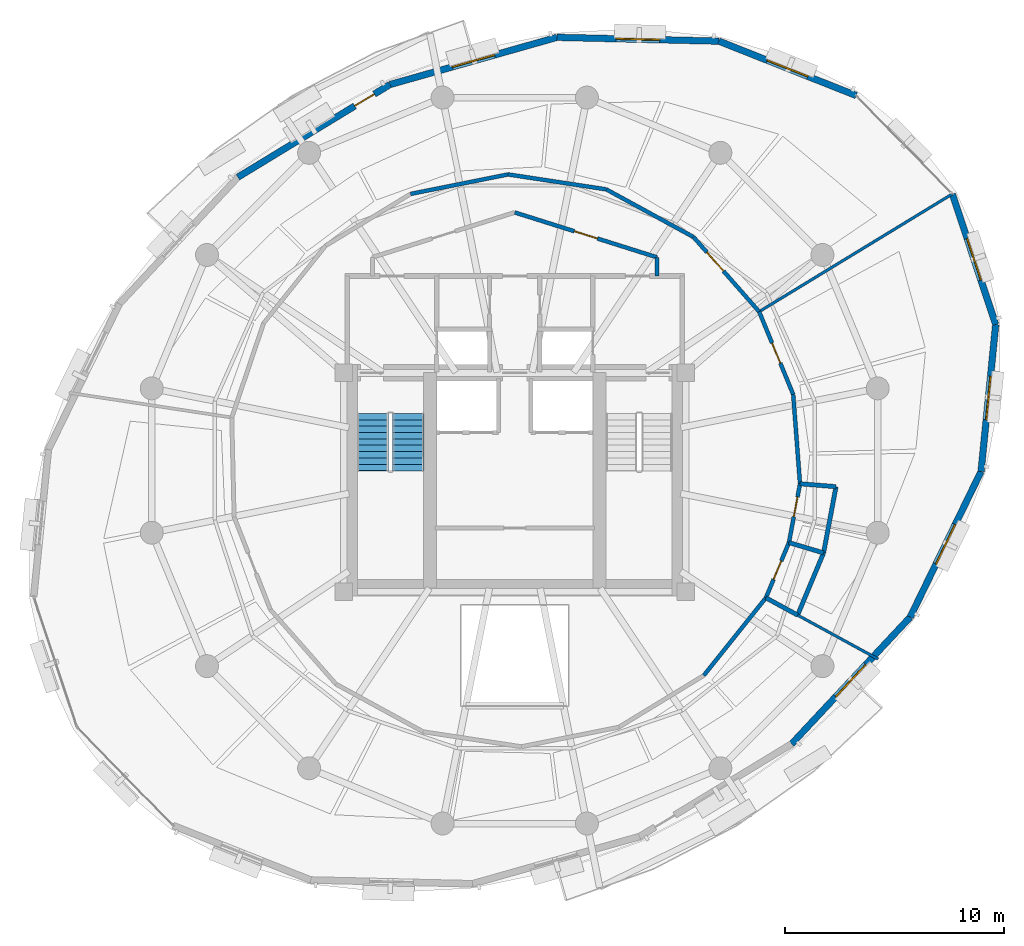
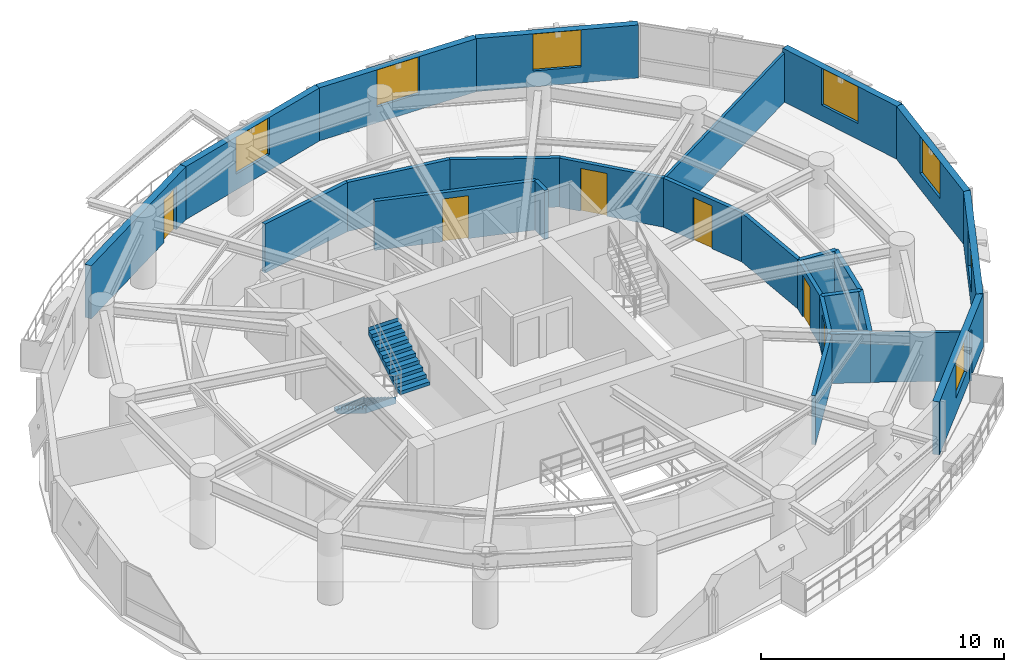
# One storey, part 11 of 15: 26 walls, 7 windows, 6 doors, 2 stair flights, 13 openings, 1 element without a shape of its own.
"""IFC4 building model written with IfcOpenShell, lengths in metres."""

from ifc_helpers import new_model, si_unit, direction, frame, frame_2d, origin, place, context, subcontext, project, spatial, polyline, rectangle, outline, extrude, material, layer, layer_set, type_object, element, fill, aggregate, save


model = new_model("IFC4")

# Units and contexts
model_context = context("Model", 3, precision=1e-05, world=origin(), true_north=direction((0.0, 1.0)))
body_context = subcontext(model_context, "Body", "Model", "MODEL_VIEW")
ifc_project = project(units=[si_unit("LENGTHUNIT", "METRE"), si_unit("AREAUNIT", "SQUARE_METRE"), si_unit("VOLUMEUNIT", "CUBIC_METRE"), si_unit("PLANEANGLEUNIT", "RADIAN"), si_unit("MASSUNIT", "GRAM", prefix="KILO"), si_unit("THERMODYNAMICTEMPERATUREUNIT", "KELVIN"), si_unit("POWERUNIT", "WATT")], contexts=[model_context])

# Site, building, storey
site_placement = place(None, origin())
site = spatial("IfcSite", under=ifc_project, at=site_placement, CompositionType="ELEMENT")
building_placement = place(site_placement, origin())
building = spatial("IfcBuilding", under=site, at=building_placement, Name="Ocrelia Relay Tower", CompositionType="ELEMENT")
storey_placement = place(building_placement, frame((0.0, 0.0, 166.39990234375)))
storey = spatial("IfcBuildingStorey", under=building, at=storey_placement, Name="L39", CompositionType="ELEMENT", Elevation=166.39990234375)

# Wall
ifc_material_1 = material(Name="Gypsum Fireboard Partition EI60", Category="gypsum")
ifc_layer_1 = layer(ifc_material_1, 0.179931640625, Name="Gypsum Fireboard Partition EI60")
ifc_layer_set_1 = layer_set([ifc_layer_1], Name="Gypsum Fireboard Partition EI60")
wall_type_1 = type_object("IfcWallType", Name="W-CORR-EI60-180", PredefinedType="PARTITIONING", material=ifc_layer_set_1)
wall_1_placement = place(storey_placement, frame((40.5, 35.280029296875, 0.0), z_axis=(0.0, 0.0, 1.0), x_axis=(0.0, -1.0, 0.0)))
element("IfcWall", 1, at=wall_1_placement, inside=storey, type_object=wall_type_1, Name="L39 Smoke Lobby East Return", PredefinedType="PARTITIONING", context=body_context, shape_type="SweptSolid", body=[
    extrude(rectangle(XDim=0.85009765625, YDim=0.179931640625, at=frame_2d((0.425048828125, 0.0))), origin(), (0.0, 0.0, 1.0), 2.460205078125),
])

# Wall, opening, door
wall_2_placement = place(storey_placement, frame((34.0, 37.330078125, 0.0), z_axis=(0.0, 0.0, 1.0), x_axis=(0.953691418528, -0.300786765376, 0.0)))
wall_2 = element("IfcWall", 2, at=wall_2_placement, inside=storey, type_object=wall_type_1, Name="L39 North Smoke Lobby E Screen Wall", PredefinedType="PARTITIONING", context=body_context, shape_type="SweptSolid", body=[
    extrude(rectangle(XDim=6.815673828125, YDim=0.179931640625, at=frame_2d((3.40771484375, 0.0))), origin(), (0.0, 0.0, 1.0), 2.460205078125),
])
opening_1_placement = place(wall_2_placement, frame((2.85791015625, 0.0, 0.0)))
opening_1 = element("IfcOpeningElement", 3, at=opening_1_placement, cuts=wall_2, Name="Opening D-FD60", PredefinedType="OPENING", context=body_context, shape_type="SweptSolid", body=[
    extrude(rectangle(XDim=1.10009765625, YDim=2.14990234375, at=frame_2d((0.550048828125, 1.074951171875))), frame((0.0, 0.10009765625, 0.0), z_axis=(0.0, -1.0, 0.0), x_axis=(1.0, 0.0, 0.0)), (0.0, 0.0, 1.0), 0.199951171875),
])
ifc_material_2 = material(Name="Timber-core 60-min acoustic fire door", Category="wood")
door_type_1 = type_object("IfcDoorType", Name="DR-LOBBY-FD60-1100", OperationType="NOTDEFINED", PredefinedType="DOOR", material=ifc_material_2)
door_1_placement = place(opening_1_placement, origin())
door_1 = element("IfcDoor", 4, at=door_1_placement, inside=storey, type_object=door_type_1, Name="L39 North Smoke Lobby E Fire Door", OperationType="SINGLE_SWING_LEFT", OverallHeight=2.14990234375, OverallWidth=1.10009765625, PredefinedType="DOOR", context=body_context, shape_type="SweptSolid", body=[
    extrude(rectangle(XDim=1.10009765625, YDim=2.14990234375, at=frame_2d((0.550048828125, 1.074951171875))), frame((0.0, 0.02490234375, 0.0), z_axis=(0.0, -1.0, 0.0), x_axis=(1.0, 0.0, 0.0)), (0.0, 0.0, 1.0), 0.050048828125),
])
fill(opening_1, door_1)

wall_3_placement = place(storey_placement, frame((45.4697265625, 19.7333984375, 0.0), z_axis=(0.0, 0.0, 1.0), x_axis=(0.385091152841, 0.92287854239, 0.0)))
wall_3 = element("IfcWall", 5, at=wall_3_placement, inside=storey, type_object=wall_type_1, Name="L39 Staff Toilet Corridor Wall", PredefinedType="PARTITIONING", context=body_context, shape_type="SweptSolid", body=[
    extrude(rectangle(XDim=2.732421875, YDim=0.179931640625, at=frame_2d((1.3662109375, 0.0))), origin(), (0.0, 0.0, 1.0), 2.460205078125),
])
opening_2_placement = place(wall_3_placement, frame((0.90625, 0.0, 0.0)))
opening_2 = element("IfcOpeningElement", 6, at=opening_2_placement, cuts=wall_3, Name="Opening D-WC92", PredefinedType="OPENING", context=body_context, shape_type="SweptSolid", body=[
    extrude(rectangle(XDim=0.919921875, YDim=2.10009765625, at=frame_2d((0.4599609375, 1.050048828125))), frame((0.0, 0.10009765625, 0.0), z_axis=(0.0, -1.0, 0.0), x_axis=(1.0, 0.0, 0.0)), (0.0, 0.0, 1.0), 0.199951171875),
])
ifc_material_3 = material(Name="Laminate washroom door", Category="wood")
door_type_2 = type_object("IfcDoorType", Name="DR-WC-920", OperationType="NOTDEFINED", PredefinedType="DOOR", material=ifc_material_3)
door_2_placement = place(opening_2_placement, origin())
door_2 = element("IfcDoor", 7, at=door_2_placement, inside=storey, type_object=door_type_2, Name="L39 Staff Toilet Door", OperationType="SINGLE_SWING_RIGHT", OverallHeight=2.10009765625, OverallWidth=0.919921875, PredefinedType="DOOR", context=body_context, shape_type="SweptSolid", body=[
    extrude(rectangle(XDim=0.919921875, YDim=2.10009765625, at=frame_2d((0.4599609375, 1.050048828125))), frame((0.0, 0.02490234375, 0.0), z_axis=(0.0, -1.0, 0.0), x_axis=(1.0, 0.0, 0.0)), (0.0, 0.0, 1.0), 0.050048828125),
])
fill(opening_2, door_2)

wall_4_placement = place(storey_placement, frame((46.52197265625, 22.255126953125, 0.0), z_axis=(0.0, 0.0, 1.0), x_axis=(0.184865739827, 0.982763785575, 0.0)))
wall_4 = element("IfcWall", 8, at=wall_4_placement, inside=storey, type_object=wall_type_1, Name="L39 Accessible Toilet Corridor Wall", PredefinedType="PARTITIONING", context=body_context, shape_type="SweptSolid", body=[
    extrude(rectangle(XDim=2.732421875, YDim=0.179931640625, at=frame_2d((1.3662109375, 0.0))), origin(), (0.0, 0.0, 1.0), 2.460205078125),
])
opening_3_placement = place(wall_4_placement, frame((1.19677734375, 0.0, 0.0)))
opening_3 = element("IfcOpeningElement", 9, at=opening_3_placement, cuts=wall_4, Name="Opening D-WC92", PredefinedType="OPENING", context=body_context, shape_type="SweptSolid", body=[
    extrude(rectangle(XDim=0.919921875, YDim=2.10009765625, at=frame_2d((0.4599609375, 1.050048828125))), frame((0.0, 0.10009765625, 0.0), z_axis=(0.0, -1.0, 0.0), x_axis=(1.0, 0.0, 0.0)), (0.0, 0.0, 1.0), 0.199951171875),
])
door_3_placement = place(opening_3_placement, origin())
door_3 = element("IfcDoor", 10, at=door_3_placement, inside=storey, type_object=door_type_2, Name="L39 Accessible Toilet Door", OperationType="SINGLE_SWING_LEFT", OverallHeight=2.10009765625, OverallWidth=0.919921875, PredefinedType="DOOR", context=body_context, shape_type="SweptSolid", body=[
    extrude(rectangle(XDim=0.919921875, YDim=2.10009765625, at=frame_2d((0.4599609375, 1.050048828125))), frame((0.0, 0.02490234375, 0.0), z_axis=(0.0, -1.0, 0.0), x_axis=(1.0, 0.0, 0.0)), (0.0, 0.0, 1.0), 0.050048828125),
])
fill(opening_3, door_3)

# Wall
wall_5_placement = place(storey_placement, frame((47.027099609375, 24.9404296875, 0.0), z_axis=(0.0, 0.0, 1.0), x_axis=(-0.075883796474, 0.997116667914, 0.0)))
element("IfcWall", 11, at=wall_5_placement, inside=storey, type_object=wall_type_1, Name="L39 Spectrum Operations Office Corridor Partition 1", PredefinedType="PARTITIONING", context=body_context, shape_type="SweptSolid", body=[
    extrude(rectangle(XDim=4.089111328125, YDim=0.179931640625, at=frame_2d((2.04443359375, 0.0))), origin(), (0.0, 0.0, 1.0), 2.460205078125),
])

# Wall, opening, door
wall_6_placement = place(storey_placement, frame((46.716796875, 29.017822265625, 0.0), z_axis=(0.0, 0.0, 1.0), x_axis=(-0.380257278333, 0.9248807503, 0.0)))
wall_6 = element("IfcWall", 12, at=wall_6_placement, inside=storey, type_object=wall_type_1, Name="L39 Spectrum Operations Office Corridor Partition 2", PredefinedType="PARTITIONING", context=body_context, shape_type="SweptSolid", body=[
    extrude(rectangle(XDim=4.089111328125, YDim=0.179931640625, at=frame_2d((2.04443359375, 0.0))), origin(), (0.0, 0.0, 1.0), 2.460205078125),
])
opening_4_placement = place(wall_6_placement, frame((1.544677734375, 0.0, 0.0)))
opening_4 = element("IfcOpeningElement", 13, at=opening_4_placement, cuts=wall_6, Name="Opening D-RM100", PredefinedType="OPENING", context=body_context, shape_type="SweptSolid", body=[
    extrude(rectangle(XDim=1.0, YDim=2.14990234375, at=frame_2d((0.5, 1.074951171875))), frame((0.0, 0.10009765625, 0.0), z_axis=(0.0, -1.0, 0.0), x_axis=(1.0, 0.0, 0.0)), (0.0, 0.0, 1.0), 0.199951171875),
])
ifc_material_4 = material(Name="Acoustic oak veneer fire door", Category="wood")
door_type_3 = type_object("IfcDoorType", Name="DR-ROOM-FD60-1000", OperationType="NOTDEFINED", PredefinedType="DOOR", material=ifc_material_4)
door_4_placement = place(opening_4_placement, origin())
door_4 = element("IfcDoor", 14, at=door_4_placement, inside=storey, type_object=door_type_3, Name="L39 Spectrum Operations Office Entrance Door", OperationType="SINGLE_SWING_RIGHT", OverallHeight=2.14990234375, OverallWidth=1.0, PredefinedType="DOOR", context=body_context, shape_type="SweptSolid", body=[
    extrude(rectangle(XDim=1.0, YDim=2.14990234375, at=frame_2d((0.5, 1.074951171875))), frame((0.0, 0.02490234375, 0.0), z_axis=(0.0, -1.0, 0.0), x_axis=(1.0, 0.0, 0.0)), (0.0, 0.0, 1.0), 0.050048828125),
])
fill(opening_4, door_4)

wall_7_placement = place(storey_placement, frame((45.161865234375, 32.7998046875, 0.0), z_axis=(0.0, 0.0, 1.0), x_axis=(-0.660626682452, 0.750714583869, 0.0)))
wall_7 = element("IfcWall", 15, at=wall_7_placement, inside=storey, type_object=wall_type_1, Name="L39 Cloud Engineering Workspace Corridor Partition 1", PredefinedType="PARTITIONING", context=body_context, shape_type="SweptSolid", body=[
    extrude(rectangle(XDim=4.539306640625, YDim=0.179931640625, at=frame_2d((2.26953125, 0.0))), origin(), (0.0, 0.0, 1.0), 2.460205078125),
])
opening_5_placement = place(wall_7_placement, frame((2.466796875, 0.0, 0.0)))
opening_5 = element("IfcOpeningElement", 16, at=opening_5_placement, cuts=wall_7, Name="Opening D-RM115", PredefinedType="OPENING", context=body_context, shape_type="SweptSolid", body=[
    extrude(rectangle(XDim=1.14990234375, YDim=2.14990234375, at=frame_2d((0.574951171875, 1.074951171875))), frame((0.0, 0.10009765625, 0.0), z_axis=(0.0, -1.0, 0.0), x_axis=(1.0, 0.0, 0.0)), (0.0, 0.0, 1.0), 0.199951171875),
])
ifc_material_5 = material(Name="Wide acoustic oak veneer fire door", Category="wood")
door_type_4 = type_object("IfcDoorType", Name="DR-ROOM-1150", OperationType="NOTDEFINED", PredefinedType="DOOR", material=ifc_material_5)
door_5_placement = place(opening_5_placement, origin())
door_5 = element("IfcDoor", 17, at=door_5_placement, inside=storey, type_object=door_type_4, Name="L39 Cloud Engineering Workspace Entrance Door", OperationType="SINGLE_SWING_LEFT", OverallHeight=2.14990234375, OverallWidth=1.14990234375, PredefinedType="DOOR", context=body_context, shape_type="SweptSolid", body=[
    extrude(rectangle(XDim=1.14990234375, YDim=2.14990234375, at=frame_2d((0.574951171875, 1.074951171875))), frame((0.0, 0.02490234375, 0.0), z_axis=(0.0, -1.0, 0.0), x_axis=(1.0, 0.0, 0.0)), (0.0, 0.0, 1.0), 0.050048828125),
])
fill(opening_5, door_5)

# Walls
for number, where, z_axis, x_axis, name in (
    (18, (42.1630859375, 36.20751953125, 0.0), (0.0, 0.0, 1.0), (-0.877570600143, 0.479447433787, 0.0), "L39 Cloud Engineering Workspace Corridor Partition 2"),
    (19, (38.1796875, 38.3837890625, 0.0), (0.0, 0.0, 1.0), (-0.988627704607, 0.150383714819, 0.0), "L39 Cloud Engineering Workspace Corridor Partition 3"),
):
    element("IfcWall", number, at=place(storey_placement, frame(where, z_axis=z_axis, x_axis=x_axis)), inside=storey, type_object=wall_type_1, Name=name, PredefinedType="PARTITIONING", context=body_context, shape_type="SweptSolid", body=[
        extrude(rectangle(XDim=4.5390625, YDim=0.179931640625, at=frame_2d((2.26953125, 0.0))), origin(), (0.0, 0.0, 1.0), 2.460205078125),
    ])
wall_8_placement = place(storey_placement, frame((33.692138671875, 39.06640625, 0.0), z_axis=(0.0, 0.0, 1.0), x_axis=(-0.980443907312, -0.196798741393, 0.0)))
element("IfcWall", 20, at=wall_8_placement, inside=storey, type_object=wall_type_1, Name="L39 Cloud Engineering Workspace Corridor Partition 4", PredefinedType="PARTITIONING", context=body_context, shape_type="SweptSolid", body=[
    extrude(rectangle(XDim=4.539306640625, YDim=0.179931640625, at=frame_2d((2.26953125, 0.0))), origin(), (0.0, 0.0, 1.0), 2.460205078125),
])
wall_9_placement = place(storey_placement, frame((42.634765625, 16.1884765625, 0.0), z_axis=(0.0, 0.0, 1.0), x_axis=(0.6245638532, 0.780973746854, 0.0)))
element("IfcWall", 21, at=wall_9_placement, inside=storey, type_object=wall_type_1, Name="L39 Protocol Simulation Studio Corridor Partition 8", PredefinedType="PARTITIONING", context=body_context, shape_type="SweptSolid", body=[
    extrude(rectangle(XDim=4.5390625, YDim=0.179931640625, at=frame_2d((2.26953125, 0.0))), origin(), (0.0, 0.0, 1.0), 2.460205078125),
])

# Wall, opening, window
ifc_material_6 = material(Name="Precast concrete C40/50 with oxide terracotta", Category="masonry")
ifc_layer_2 = layer(ifc_material_6, 0.300048828125, Name="Precast concrete C40/50 with oxide terracotta")
ifc_layer_set_2 = layer_set([ifc_layer_2], Name="Precast concrete C40/50 with oxide terracotta")
wall_type_2 = type_object("IfcWallType", Name="W-EXT-TERR-300", PredefinedType="SOLIDWALL", material=ifc_layer_set_2)
wall_10_placement = place(storey_placement, frame((49.593505859375, 42.66845703125, 0.0), z_axis=(0.0, 0.0, 1.0), x_axis=(-0.929741827898, 0.368212076739, 0.0)))
wall_10 = element("IfcWall", 22, at=wall_10_placement, inside=storey, type_object=wall_type_2, Name="L39 Oxide Terracotta Facade Wall 02", PredefinedType="SOLIDWALL", context=body_context, shape_type="SweptSolid", body=[
    extrude(rectangle(XDim=6.7451171875, YDim=0.300048828125, at=frame_2d((3.37255859375, 0.0))), origin(), (0.0, 0.0, 1.0), 2.66015625),
])
opening_6_placement = place(wall_10_placement, frame((2.373046875, 0.0, 0.800048828125)))
opening_6 = element("IfcOpeningElement", 23, at=opening_6_placement, cuts=wall_10, Name="Opening W-03", PredefinedType="OPENING", context=body_context, shape_type="SweptSolid", body=[
    extrude(rectangle(XDim=2.0, YDim=1.85009765625, at=frame_2d((1.0, 0.925048828125))), frame((0.0, 0.16015625, 0.0), z_axis=(0.0, -1.0, 0.0), x_axis=(1.0, 0.0, 0.0)), (0.0, 0.0, 1.0), 0.320068359375),
])
ifc_material_7 = material(Name="Clear double-glazed low-E glass", Category="glass")
window_type = type_object("IfcWindowType", Name="WIN-Z3-2000x2200", PartitioningType="DOUBLE_PANEL_VERTICAL", PredefinedType="WINDOW", material=ifc_material_7)
window_1_placement = place(opening_6_placement, origin())
window_1 = element("IfcWindow", 24, at=window_1_placement, inside=storey, type_object=window_type, Name="L39 Facade Module Window 02", OverallHeight=1.85009765625, OverallWidth=2.0, PartitioningType="SINGLE_PANEL", PredefinedType="WINDOW", context=body_context, shape_type="SweptSolid", body=[
    extrude(rectangle(XDim=2.0, YDim=1.85009765625, at=frame_2d((1.0, 0.925048828125))), frame((0.0, 0.030029296875, 0.0), z_axis=(0.0, -1.0, 0.0), x_axis=(1.0, 0.0, 0.0)), (0.0, 0.0, 1.0), 0.06005859375),
])
fill(opening_6, window_1)

wall_11_placement = place(storey_placement, frame((43.322265625, 45.152099609375, 0.0), z_axis=(0.0, 0.0, 1.0), x_axis=(-0.999724657082, 0.023465080919, 0.0)))
wall_11 = element("IfcWall", 25, at=wall_11_placement, inside=storey, type_object=wall_type_2, Name="L39 Oxide Terracotta Facade Wall 03", PredefinedType="SOLIDWALL", context=body_context, shape_type="SweptSolid", body=[
    extrude(rectangle(XDim=7.3974609375, YDim=0.300048828125, at=frame_2d((3.69873046875, 0.0))), origin(), (0.0, 0.0, 1.0), 2.66015625),
])
opening_7_placement = place(wall_11_placement, frame((2.698974609375, 0.0, 0.800048828125)))
opening_7 = element("IfcOpeningElement", 26, at=opening_7_placement, cuts=wall_11, Name="Opening W-03", PredefinedType="OPENING", context=body_context, shape_type="SweptSolid", body=[
    extrude(rectangle(XDim=2.0, YDim=1.85009765625, at=frame_2d((1.0, 0.925048828125))), frame((0.0, 0.16015625, 0.0), z_axis=(0.0, -1.0, 0.0), x_axis=(1.0, 0.0, 0.0)), (0.0, 0.0, 1.0), 0.320068359375),
])
window_2_placement = place(opening_7_placement, origin())
window_2 = element("IfcWindow", 27, at=window_2_placement, inside=storey, type_object=window_type, Name="L39 Facade Module Window 03", OverallHeight=1.85009765625, OverallWidth=2.0, PartitioningType="SINGLE_PANEL", PredefinedType="WINDOW", context=body_context, shape_type="SweptSolid", body=[
    extrude(rectangle(XDim=2.0, YDim=1.85009765625, at=frame_2d((1.0, 0.925048828125))), frame((0.0, 0.030029296875, 0.0), z_axis=(0.0, -1.0, 0.0), x_axis=(1.0, 0.0, 0.0)), (0.0, 0.0, 1.0), 0.06005859375),
])
fill(opening_7, window_2)

wall_12_placement = place(storey_placement, frame((35.9267578125, 45.32568359375, 0.0), z_axis=(0.0, 0.0, 1.0), x_axis=(-0.96225962462, -0.272133082932, 0.0)))
wall_12 = element("IfcWall", 28, at=wall_12_placement, inside=storey, type_object=wall_type_2, Name="L39 Oxide Terracotta Facade Wall 04", PredefinedType="SOLIDWALL", context=body_context, shape_type="SweptSolid", body=[
    extrude(rectangle(XDim=7.927001953125, YDim=0.300048828125, at=frame_2d((3.96337890625, 0.0))), origin(), (0.0, 0.0, 1.0), 2.66015625),
])
opening_8_placement = place(wall_12_placement, frame((2.964111328125, 0.0, 0.800048828125)))
opening_8 = element("IfcOpeningElement", 29, at=opening_8_placement, cuts=wall_12, Name="Opening W-03", PredefinedType="OPENING", context=body_context, shape_type="SweptSolid", body=[
    extrude(rectangle(XDim=2.0, YDim=1.85009765625, at=frame_2d((1.0, 0.925048828125))), frame((0.0, 0.16015625, 0.0), z_axis=(0.0, -1.0, 0.0), x_axis=(1.0, 0.0, 0.0)), (0.0, 0.0, 1.0), 0.320068359375),
])
window_3_placement = place(opening_8_placement, origin())
window_3 = element("IfcWindow", 30, at=window_3_placement, inside=storey, type_object=window_type, Name="L39 Facade Module Window 04", OverallHeight=1.85009765625, OverallWidth=2.0, PartitioningType="SINGLE_PANEL", PredefinedType="WINDOW", context=body_context, shape_type="SweptSolid", body=[
    extrude(rectangle(XDim=2.0, YDim=1.85009765625, at=frame_2d((1.0, 0.925048828125))), frame((0.0, 0.030029296875, 0.0), z_axis=(0.0, -1.0, 0.0), x_axis=(1.0, 0.0, 0.0)), (0.0, 0.0, 1.0), 0.06005859375),
])
fill(opening_8, window_3)

# Wall, opening, door
wall_13_placement = place(storey_placement, frame((28.298828125, 43.16845703125, 0.0), z_axis=(0.0, 0.0, 1.0), x_axis=(-0.854003574889, -0.520267137226, 0.0)))
wall_13 = element("IfcWall", 31, at=wall_13_placement, inside=storey, type_object=wall_type_2, Name="L39 Oxide Terracotta Facade Wall 05", PredefinedType="SOLIDWALL", context=body_context, shape_type="SweptSolid", body=[
    extrude(rectangle(XDim=8.126708984375, YDim=0.300048828125, at=frame_2d((4.0634765625, 0.0))), origin(), (0.0, 0.0, 1.0), 2.66015625),
])
opening_9_placement = place(wall_13_placement, frame((0.830078125, 0.0, 0.0)))
opening_9 = element("IfcOpeningElement", 32, at=opening_9_placement, cuts=wall_13, Name="Opening DB-105", PredefinedType="OPENING", context=body_context, shape_type="SweptSolid", body=[
    extrude(rectangle(XDim=1.050048828125, YDim=2.14990234375, at=frame_2d((0.52490234375, 1.074951171875))), frame((0.0, 0.16015625, 0.0), z_axis=(0.0, -1.0, 0.0), x_axis=(1.0, 0.0, 0.0)), (0.0, 0.0, 1.0), 0.320068359375),
])
ifc_material_8 = material(Name="Thermally broken aluminium and clear glass", Category="aluminium")
door_type_5 = type_object("IfcDoorType", Name="DR-BALC-1050", OperationType="NOTDEFINED", PredefinedType="DOOR", material=ifc_material_8)
door_6_placement = place(opening_9_placement, origin())
door_6 = element("IfcDoor", 33, at=door_6_placement, inside=storey, type_object=door_type_5, Name="L39 Planted Loggia Balcony Door B1", OperationType="SINGLE_SWING_LEFT", OverallHeight=2.14990234375, OverallWidth=1.050048828125, PredefinedType="DOOR", context=body_context, shape_type="SweptSolid", body=[
    extrude(rectangle(XDim=1.050048828125, YDim=2.14990234375, at=frame_2d((0.52490234375, 1.074951171875))), frame((0.0, 0.02490234375, 0.0), z_axis=(0.0, -1.0, 0.0), x_axis=(1.0, 0.0, 0.0)), (0.0, 0.0, 1.0), 0.050048828125),
])
fill(opening_9, door_6)

# Wall, opening, window
wall_14_placement = place(storey_placement, frame((46.641357421875, 13.0595703125, 0.0), z_axis=(0.0, 0.0, 1.0), x_axis=(0.683169314715, 0.730260013579, 0.0)))
wall_14 = element("IfcWall", 34, at=wall_14_placement, inside=storey, type_object=wall_type_2, Name="L39 Oxide Terracotta Facade Wall 15", PredefinedType="SOLIDWALL", context=body_context, shape_type="SweptSolid", body=[
    extrude(rectangle(XDim=7.927001953125, YDim=0.300048828125, at=frame_2d((3.96337890625, 0.0))), origin(), (0.0, 0.0, 1.0), 2.66015625),
])
opening_10_placement = place(wall_14_placement, frame((2.964111328125, 0.0, 0.800048828125)))
opening_10 = element("IfcOpeningElement", 35, at=opening_10_placement, cuts=wall_14, Name="Opening W-03", PredefinedType="OPENING", context=body_context, shape_type="SweptSolid", body=[
    extrude(rectangle(XDim=2.0, YDim=1.85009765625, at=frame_2d((1.0, 0.925048828125))), frame((0.0, 0.16015625, 0.0), z_axis=(0.0, -1.0, 0.0), x_axis=(1.0, 0.0, 0.0)), (0.0, 0.0, 1.0), 0.320068359375),
])
window_4_placement = place(opening_10_placement, origin())
window_4 = element("IfcWindow", 36, at=window_4_placement, inside=storey, type_object=window_type, Name="L39 Facade Module Window 15", OverallHeight=1.85009765625, OverallWidth=2.0, PartitioningType="SINGLE_PANEL", PredefinedType="WINDOW", context=body_context, shape_type="SweptSolid", body=[
    extrude(rectangle(XDim=2.0, YDim=1.85009765625, at=frame_2d((1.0, 0.925048828125))), frame((0.0, 0.030029296875, 0.0), z_axis=(0.0, -1.0, 0.0), x_axis=(1.0, 0.0, 0.0)), (0.0, 0.0, 1.0), 0.06005859375),
])
fill(opening_10, window_4)

wall_15_placement = place(storey_placement, frame((52.056884765625, 18.848388671875, 0.0), z_axis=(0.0, 0.0, 1.0), x_axis=(0.437643860452, 0.89914840344, 0.0)))
wall_15 = element("IfcWall", 37, at=wall_15_placement, inside=storey, type_object=wall_type_2, Name="L39 Oxide Terracotta Facade Wall 16", PredefinedType="SOLIDWALL", context=body_context, shape_type="SweptSolid", body=[
    extrude(rectangle(XDim=7.397705078125, YDim=0.300048828125, at=frame_2d((3.69873046875, 0.0))), origin(), (0.0, 0.0, 1.0), 2.66015625),
])
opening_11_placement = place(wall_15_placement, frame((2.698974609375, 0.0, 0.800048828125)))
opening_11 = element("IfcOpeningElement", 38, at=opening_11_placement, cuts=wall_15, Name="Opening W-03", PredefinedType="OPENING", context=body_context, shape_type="SweptSolid", body=[
    extrude(rectangle(XDim=2.0, YDim=1.85009765625, at=frame_2d((1.0, 0.925048828125))), frame((0.0, 0.16015625, 0.0), z_axis=(0.0, -1.0, 0.0), x_axis=(1.0, 0.0, 0.0)), (0.0, 0.0, 1.0), 0.320068359375),
])
window_5_placement = place(opening_11_placement, origin())
window_5 = element("IfcWindow", 39, at=window_5_placement, inside=storey, type_object=window_type, Name="L39 Facade Module Window 16", OverallHeight=1.85009765625, OverallWidth=2.0, PartitioningType="SINGLE_PANEL", PredefinedType="WINDOW", context=body_context, shape_type="SweptSolid", body=[
    extrude(rectangle(XDim=2.0, YDim=1.85009765625, at=frame_2d((1.0, 0.925048828125))), frame((0.0, 0.030029296875, 0.0), z_axis=(0.0, -1.0, 0.0), x_axis=(1.0, 0.0, 0.0)), (0.0, 0.0, 1.0), 0.06005859375),
])
fill(opening_11, window_5)

wall_16_placement = place(storey_placement, frame((55.29443359375, 25.5, 0.0), z_axis=(0.0, 0.0, 1.0), x_axis=(0.099213429468, 0.995066176399, 0.0)))
wall_16 = element("IfcWall", 40, at=wall_16_placement, inside=storey, type_object=wall_type_2, Name="L39 Oxide Terracotta Facade Wall 17", PredefinedType="SOLIDWALL", context=body_context, shape_type="SweptSolid", body=[
    extrude(rectangle(XDim=6.744873046875, YDim=0.300048828125, at=frame_2d((3.37255859375, 0.0))), origin(), (0.0, 0.0, 1.0), 2.66015625),
])
opening_12_placement = place(wall_16_placement, frame((2.3720703125, 0.0, 0.800048828125)))
opening_12 = element("IfcOpeningElement", 41, at=opening_12_placement, cuts=wall_16, Name="Opening W-03", PredefinedType="OPENING", context=body_context, shape_type="SweptSolid", body=[
    extrude(rectangle(XDim=2.0, YDim=1.85009765625, at=frame_2d((1.0, 0.925048828125))), frame((0.0, 0.16015625, 0.0), z_axis=(0.0, -1.0, 0.0), x_axis=(1.0, 0.0, 0.0)), (0.0, 0.0, 1.0), 0.320068359375),
])
window_6_placement = place(opening_12_placement, origin())
window_6 = element("IfcWindow", 42, at=window_6_placement, inside=storey, type_object=window_type, Name="L39 Facade Module Window 17", OverallHeight=1.85009765625, OverallWidth=2.0, PartitioningType="SINGLE_PANEL", PredefinedType="WINDOW", context=body_context, shape_type="SweptSolid", body=[
    extrude(rectangle(XDim=2.0, YDim=1.85009765625, at=frame_2d((1.0, 0.925048828125))), frame((0.0, 0.030029296875, 0.0), z_axis=(0.0, -1.0, 0.0), x_axis=(1.0, 0.0, 0.0)), (0.0, 0.0, 1.0), 0.06005859375),
])
fill(opening_12, window_6)

wall_17_placement = place(storey_placement, frame((55.963623046875, 32.211669921875, 0.0), z_axis=(0.0, 0.0, 1.0), x_axis=(-0.315143404038, 0.949044063725, 0.0)))
wall_17 = element("IfcWall", 43, at=wall_17_placement, inside=storey, type_object=wall_type_2, Name="L39 Oxide Terracotta Facade Wall 18", PredefinedType="SOLIDWALL", context=body_context, shape_type="SweptSolid", body=[
    extrude(rectangle(XDim=6.28271484375, YDim=0.300048828125, at=frame_2d((3.141357421875, 0.0))), origin(), (0.0, 0.0, 1.0), 2.66015625),
])
opening_13_placement = place(wall_17_placement, frame((2.14111328125, 0.0, 0.800048828125)))
opening_13 = element("IfcOpeningElement", 44, at=opening_13_placement, cuts=wall_17, Name="Opening W-03", PredefinedType="OPENING", context=body_context, shape_type="SweptSolid", body=[
    extrude(rectangle(XDim=2.0, YDim=1.85009765625, at=frame_2d((1.0, 0.925048828125))), frame((0.0, 0.16015625, 0.0), z_axis=(0.0, -1.0, 0.0), x_axis=(1.0, 0.0, 0.0)), (0.0, 0.0, 1.0), 0.320068359375),
])
window_7_placement = place(opening_13_placement, origin())
window_7 = element("IfcWindow", 45, at=window_7_placement, inside=storey, type_object=window_type, Name="L39 Facade Module Window 18", OverallHeight=1.85009765625, OverallWidth=2.0, PartitioningType="SINGLE_PANEL", PredefinedType="WINDOW", context=body_context, shape_type="SweptSolid", body=[
    extrude(rectangle(XDim=2.0, YDim=1.85009765625, at=frame_2d((1.0, 0.925048828125))), frame((0.0, 0.030029296875, 0.0), z_axis=(0.0, -1.0, 0.0), x_axis=(1.0, 0.0, 0.0)), (0.0, 0.0, 1.0), 0.06005859375),
])
fill(opening_13, window_7)

# Walls
ifc_material_9 = material(Name="Acoustic Fireboard Partition EI60", Category="gypsum")
ifc_layer_3 = layer(ifc_material_9, 0.125, Name="Acoustic Fireboard Partition EI60")
ifc_layer_set_3 = layer_set([ifc_layer_3], Name="Acoustic Fireboard Partition EI60")
wall_type_3 = type_object("IfcWallType", Name="W-PART-125", PredefinedType="PARTITIONING", material=ifc_layer_set_3)
wall_18_placement = place(storey_placement, frame((46.917724609375, 18.9423828125, 0.0), z_axis=(0.0, 0.0, 1.0), x_axis=(0.877567812502, -0.479452536191, 0.0)))
element("IfcWall", 46, at=wall_18_placement, inside=storey, type_object=wall_type_3, Name="L39 Spectrum Operations Office Radial Partition", PredefinedType="PARTITIONING", context=body_context, shape_type="SweptSolid", body=[
    extrude(rectangle(XDim=4.187255859375, YDim=0.125, at=frame_2d((2.09375, 0.0))), origin(), (0.0, 0.0, 1.0), 2.460205078125),
])
wall_19_placement = place(storey_placement, frame((45.161865234375, 32.7998046875, 0.0), z_axis=(0.0, 0.0, 1.0), x_axis=(0.853994943422, 0.520281305266, 0.0)))
element("IfcWall", 47, at=wall_19_placement, inside=storey, type_object=wall_type_3, Name="L39 Spectrum Operations Office Radial Partition", PredefinedType="PARTITIONING", context=body_context, shape_type="SweptSolid", body=[
    extrude(rectangle(XDim=10.330078125, YDim=0.125, at=frame_2d((5.1650390625, 0.0))), origin(), (0.0, 0.0, 1.0), 2.460205078125),
])
ifc_material_10 = material(Name="Moisture-Resistant Fireboard Chase Wall EI60", Category="gypsum")
ifc_layer_4 = layer(ifc_material_10, 0.199951171875, Name="Moisture-Resistant Fireboard Chase Wall EI60")
ifc_layer_set_4 = layer_set([ifc_layer_4], Name="Moisture-Resistant Fireboard Chase Wall EI60")
wall_type_4 = type_object("IfcWallType", Name="W-PLUMB-200", PredefinedType="PLUMBINGWALL", material=ifc_layer_set_4)
for number, where, z_axis, x_axis, name in (
    (48, (45.4697265625, 19.7333984375, 0.0), (0.0, 0.0, 1.0), (0.877590036548, -0.479411856081, 0.0), "L39 Staff Toilet Plumbing Radial Wall"),
    (49, (46.52197265625, 22.255126953125, 0.0), (0.0, 0.0, 1.0), (0.958090591571, -0.286465387688, 0.0), "L39 Staff Toilet Plumbing Radial Wall"),
):
    element("IfcWall", number, at=place(storey_placement, frame(where, z_axis=z_axis, x_axis=x_axis)), inside=storey, type_object=wall_type_4, Name=name, PredefinedType="PLUMBINGWALL", context=body_context, shape_type="SweptSolid", body=[
        extrude(rectangle(XDim=1.64990234375, YDim=0.199951171875, at=frame_2d((0.824951171875, 0.0))), origin(), (0.0, 0.0, 1.0), 2.460205078125),
    ])
wall_20_placement = place(storey_placement, frame((46.917724609375, 18.9423828125, 0.0), z_axis=(0.0, 0.0, 1.0), x_axis=(0.385082884219, 0.922881992609, 0.0)))
element("IfcWall", 50, at=wall_20_placement, inside=storey, type_object=wall_type_4, Name="L39 Staff Toilet Back Plumbing Wall", PredefinedType="PLUMBINGWALL", context=body_context, shape_type="SweptSolid", body=[
    extrude(rectangle(XDim=3.077392578125, YDim=0.199951171875, at=frame_2d((1.53857421875, 0.0))), origin(), (0.0, 0.0, 1.0), 2.460205078125),
])
wall_21_placement = place(storey_placement, frame((47.027099609375, 24.9404296875, 0.0), z_axis=(0.0, 0.0, 1.0), x_axis=(0.99670613325, -0.081097989758, 0.0)))
element("IfcWall", 51, at=wall_21_placement, inside=storey, type_object=wall_type_4, Name="L39 Accessible Toilet Plumbing Radial Wall", PredefinedType="PLUMBINGWALL", context=body_context, shape_type="SweptSolid", body=[
    extrude(rectangle(XDim=1.649658203125, YDim=0.199951171875, at=frame_2d((0.82470703125, 0.0))), origin(), (0.0, 0.0, 1.0), 2.460205078125),
])
wall_22_placement = place(storey_placement, frame((48.102783203125, 21.782470703125, 0.0), z_axis=(0.0, 0.0, 1.0), x_axis=(0.184781914285, 0.98277955013, 0.0)))
element("IfcWall", 52, at=wall_22_placement, inside=storey, type_object=wall_type_4, Name="L39 Accessible Toilet Back Plumbing Wall", PredefinedType="PLUMBINGWALL", context=body_context, shape_type="SweptSolid", body=[
    extrude(rectangle(XDim=3.0771484375, YDim=0.199951171875, at=frame_2d((1.53857421875, 0.0))), origin(), (0.0, 0.0, 1.0), 2.460205078125),
])

# Stair, stair flights
ifc_material_11 = material(Name="Concrete C50/60", Category="concrete")
stair_type = type_object("IfcStairType", Name="ST-DL-1420-R180", PredefinedType="HALF_TURN_STAIR", material=ifc_material_11)
stair_placement = place(storey_placement, origin())
stair = element("IfcStair", 53, at=stair_placement, inside=storey, type_object=stair_type, Name="L39 West Core Exit Stair ST1", PredefinedType="HALF_TURN_STAIR")
stair_flight_type = type_object("IfcStairFlightType", Name="STF-DL-1420-R180", PredefinedType="STRAIGHT", material=ifc_material_11)
stair_flight_1_placement = place(storey_placement, frame((27.52001953125, 28.14990234375, 0.0), z_axis=(0.0, 0.0, 1.0), x_axis=(0.0, -1.0, 0.0)))
stair_flight_1 = element("IfcStairFlight", 54, at=stair_flight_1_placement, type_object=stair_flight_type, Name="ST1 flight 1", NumberOfRisers=10, NumberOfTreads=9, PredefinedType="STRAIGHT", RiserHeight=0.18, TreadLength=0.29, context=body_context, shape_type="SweptSolid", body=[
    extrude(outline(polyline([(-0.008056640625, 0.0), (-0.008056640625, 0.179931640625), (0.0, 0.179931640625), (0.2900390625, 0.179931640625), (0.2900390625, 0.360107421875), (0.580078125, 0.360107421875), (0.580078125, 0.5400390625), (0.8701171875, 0.5400390625), (0.8701171875, 0.719970703125), (1.159912109375, 0.719970703125), (1.159912109375, 0.89990234375), (1.449951171875, 0.89990234375), (1.449951171875, 1.080078125), (1.739990234375, 1.080078125), (1.739990234375, 1.260009765625), (2.030029296875, 1.260009765625), (2.030029296875, 1.43994140625), (2.320068359375, 1.43994140625), (2.320068359375, 1.6201171875), (2.610107421875, 1.6201171875), (2.610107421875, 1.800048828125), (2.617919921875, 1.800048828125), (2.617919921875, 1.443603515625), (0.2841796875, 0.0), (-0.008056640625, 0.0)])), frame((0.0, 0.7099609375, 0.0), z_axis=(0.0, -1.0, 0.0), x_axis=(1.0, 0.0, 0.0)), (0.0, 0.0, 1.0), 1.419921875),
])
stair_flight_2_placement = place(storey_placement, frame((29.139892578125, 25.5400390625, 1.800048828125), z_axis=(0.0, 0.0, 1.0), x_axis=(0.0, 1.0, 0.0)))
stair_flight_2 = element("IfcStairFlight", 55, at=stair_flight_2_placement, type_object=stair_flight_type, Name="ST1 flight 2", NumberOfRisers=10, NumberOfTreads=9, PredefinedType="STRAIGHT", RiserHeight=0.18, TreadLength=0.29, context=body_context, shape_type="SweptSolid", body=[
    extrude(outline(polyline([(-0.008056640625, 0.0), (-0.008056640625, 0.179931640625), (0.0, 0.179931640625), (0.2900390625, 0.179931640625), (0.2900390625, 0.360107421875), (0.580078125, 0.360107421875), (0.580078125, 0.5400390625), (0.8701171875, 0.5400390625), (0.8701171875, 0.719970703125), (1.159912109375, 0.719970703125), (1.159912109375, 0.89990234375), (1.449951171875, 0.89990234375), (1.449951171875, 1.080078125), (1.739990234375, 1.080078125), (1.739990234375, 1.260009765625), (2.030029296875, 1.260009765625), (2.030029296875, 1.43994140625), (2.320068359375, 1.43994140625), (2.320068359375, 1.6201171875), (2.610107421875, 1.6201171875), (2.610107421875, 1.800048828125), (2.617919921875, 1.800048828125), (2.617919921875, 1.443603515625), (0.2841796875, 0.0), (-0.008056640625, 0.0)])), frame((0.0, 0.7099609375, 0.0), z_axis=(0.0, -1.0, 0.0), x_axis=(1.0, 0.0, 0.0)), (0.0, 0.0, 1.0), 1.419921875),
])
aggregate(stair, [stair_flight_1, stair_flight_2])

save(model, "model.ifc")
